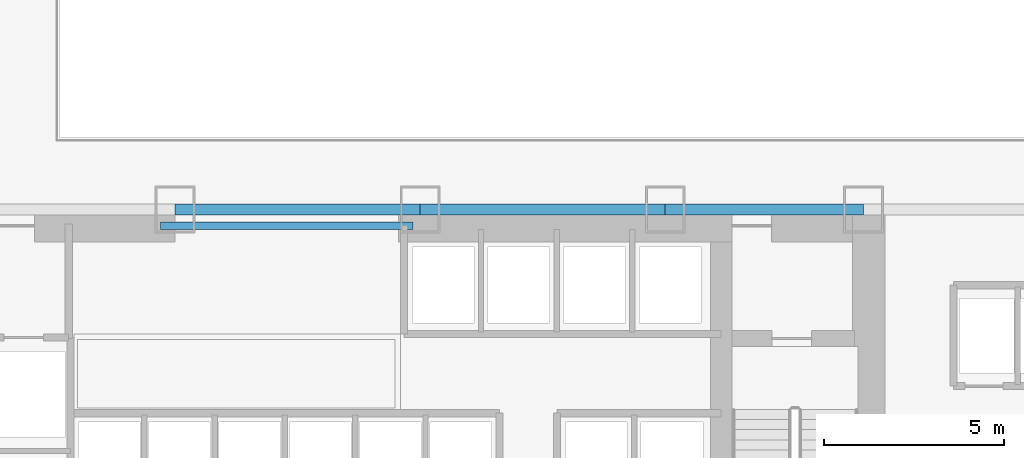
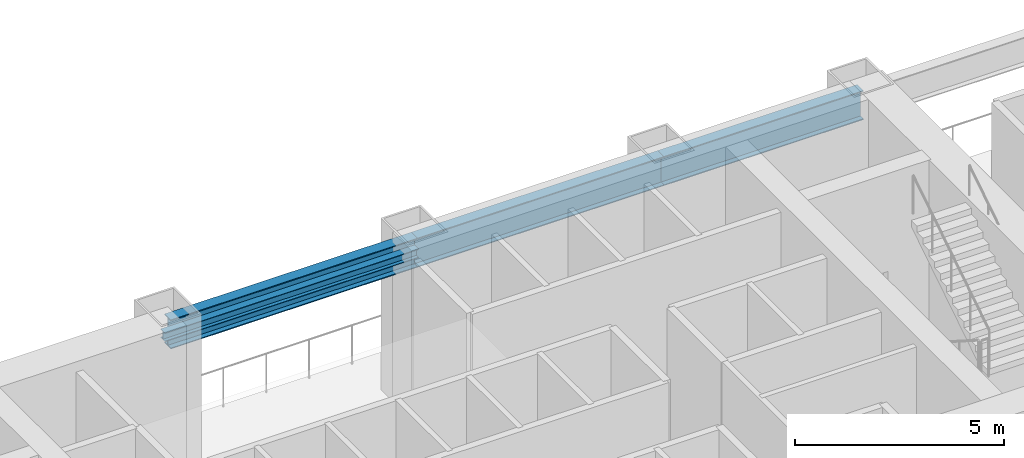
# One storey, part 7 of 39: 4 beams.
"""IFC4 building model written with IfcOpenShell, lengths in metres."""

from ifc_helpers import new_model, si_unit, derived_unit, direction, frame, origin, origin_2d, place, context, subcontext, project, spatial, i_section, extrude, source, transform, mapped, material, material_profile, profile_set, type_object, element, save


model = new_model("IFC4")

# Units and contexts
model_context = context("Model", 3, precision=1e-05, world=origin(), true_north=direction((0.0, 1.0)))
body_context = subcontext(model_context, "Body", "Model", "MODEL_VIEW")
ifc_project = project(units=[si_unit("LENGTHUNIT", "METRE"), si_unit("AREAUNIT", "SQUARE_METRE"), si_unit("VOLUMEUNIT", "CUBIC_METRE"), si_unit("PLANEANGLEUNIT", "RADIAN"), si_unit("MASSUNIT", "GRAM", prefix="KILO"), derived_unit("THERMALTRANSMITTANCEUNIT", [(si_unit("POWERUNIT", "WATT"), 1), (si_unit("LENGTHUNIT", "METRE"), -2), (si_unit("THERMODYNAMICTEMPERATUREUNIT", "KELVIN"), -1)])], contexts=[model_context])

# Site, building, storey
site_placement = place(None, origin())
site = spatial("IfcSite", under=ifc_project, at=site_placement, CompositionType="ELEMENT")
building_placement = place(site_placement, origin())
building = spatial("IfcBuilding", under=site, at=building_placement, Name="Skarnbrae Concourse Arena and Tower", CompositionType="ELEMENT")
storey_placement = place(building_placement, frame((0.0, 0.0, 11.0)))
storey = spatial("IfcBuildingStorey", under=building, at=storey_placement, Name="L02", CompositionType="ELEMENT", Elevation=11.0)

# Beams
ifc_material = material(Name="Steel CSA G40.21 350W", Category="steel")
ifc_material_profile_1 = material_profile(ifc_material, i_section(OverallWidth=0.202880859375, OverallDepth=0.251953125, WebThickness=0.008056640625, FlangeThickness=0.013427734375, at=origin_2d()), Name="W250X58")
ifc_profile_set_1 = profile_set([ifc_material_profile_1], Name="Steel CSA G40.21 350W")
beam_type_1 = type_object("IfcBeamType", Name="BM-LINTEL-W250X58", PredefinedType="LINTEL", material=ifc_profile_set_1)
shared_shape_1 = source(origin(), body_context, "Body", "SweptSolid", [
    extrude(i_section(OverallWidth=0.202880859375, OverallDepth=0.251953125, WebThickness=0.008056640625, FlangeThickness=0.013427734375, at=origin_2d()), origin(), (0.0, 0.0, 1.0), 7.0),
])
beam_1_placement = place(storey_placement, frame((14.0, 13.550048828125, 4.573974609375), z_axis=(1.0, 0.0, 0.0), x_axis=(0.0, 1.0, 0.0)))
element("IfcBeam", 1, at=beam_1_placement, inside=storey, type_object=beam_type_1, Name="L02 Core portal coupling lintel", PredefinedType="LINTEL", context=body_context, shape_type="MappedRepresentation", body=[
    mapped(shared_shape_1, transform((0.0, 0.0, 0.0))),
])
ifc_material_profile_2 = material_profile(ifc_material, i_section(OverallWidth=0.2939453125, OverallDepth=0.85107421875, WebThickness=0.01611328125, FlangeThickness=0.02685546875, at=origin_2d()), Name="W840X226")
ifc_profile_set_2 = profile_set([ifc_material_profile_2], Name="Steel CSA G40.21 350W")
beam_type_2 = type_object("IfcBeamType", Name="BM-GIRD-W840X226", PredefinedType="BEAM", material=ifc_profile_set_2)
shared_shape_2 = source(origin(), body_context, "Body", "SweptSolid", [
    extrude(i_section(OverallWidth=0.2939453125, OverallDepth=0.85107421875, WebThickness=0.01611328125, FlangeThickness=0.02685546875, at=origin_2d()), origin(), (0.0, 0.0, 1.0), 6.800048828125),
])
for number, where, z_axis, x_axis, name in (
    (2, (14.39990234375, 14.0, 4.2744140625), (1.0, 0.0, 0.0), (0.0, 1.0, 0.0), "L02 Podium south spine girder 3"),
    (3, (21.199951171875, 14.0, 4.2744140625), (1.0, 0.0, 0.0), (0.0, 1.0, 0.0), "L02 Podium south spine girder 4"),
):
    element("IfcBeam", number, at=place(storey_placement, frame(where, z_axis=z_axis, x_axis=x_axis)), inside=storey, type_object=beam_type_2, Name=name, PredefinedType="BEAM", context=body_context, shape_type="MappedRepresentation", body=[
        mapped(shared_shape_2, transform((0.0, 0.0, 0.0))),
    ])
shared_shape_3 = source(origin(), body_context, "Body", "SweptSolid", [
    extrude(i_section(OverallWidth=0.2939453125, OverallDepth=0.85107421875, WebThickness=0.01611328125, FlangeThickness=0.02685546875, at=origin_2d()), origin(), (0.0, 0.0, 1.0), 5.5),
])
beam_2_placement = place(storey_placement, frame((28.0, 14.0, 4.2744140625), z_axis=(1.0, 0.0, 0.0), x_axis=(0.0, 1.0, 0.0)))
element("IfcBeam", 4, at=beam_2_placement, inside=storey, type_object=beam_type_2, Name="L02 Podium south spine girder 5", PredefinedType="BEAM", context=body_context, shape_type="MappedRepresentation", body=[
    mapped(shared_shape_3, transform((0.0, 0.0, 0.0))),
])

save(model, "model.ifc")
